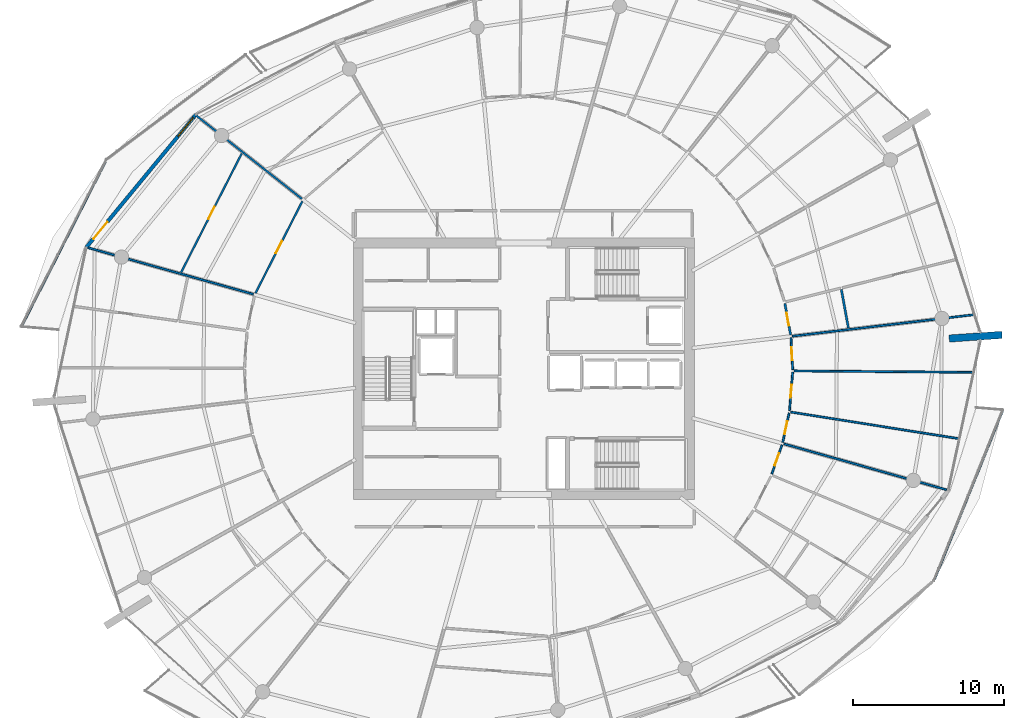
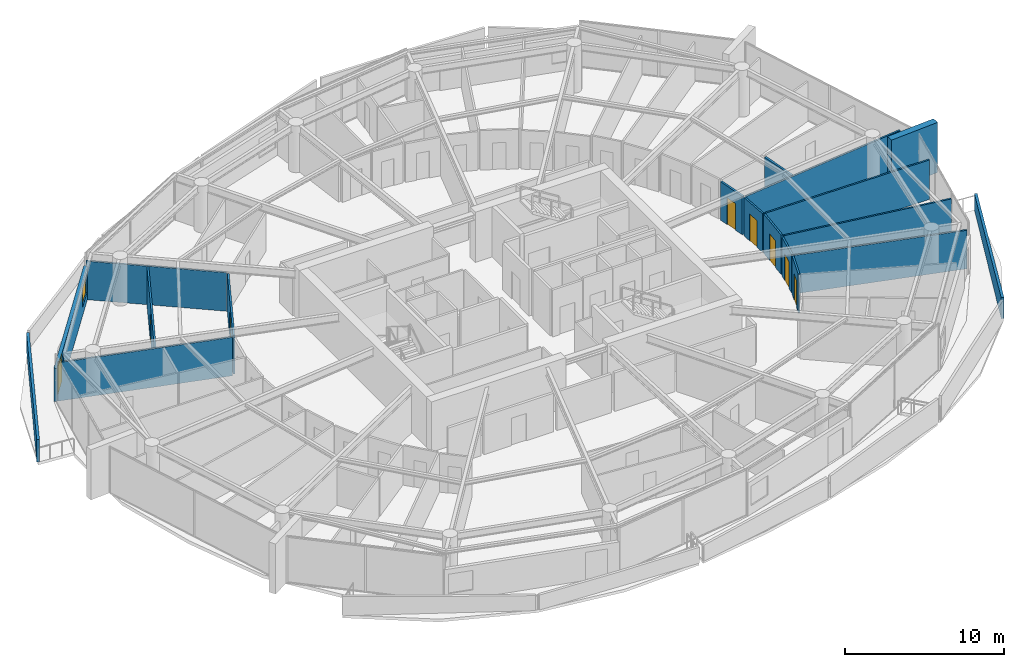
# One storey, part 20 of 30: 18 walls, 8 doors, 1 window, 9 openings.
"""IFC4 building model written with IfcOpenShell, lengths in metres."""

from ifc_helpers import new_model, si_unit, direction, frame, frame_2d, origin, place, context, subcontext, project, spatial, polyline, rectangle, outline, extrude, material, layer, layer_set, type_object, element, fill, save


model = new_model("IFC4")

# Units and contexts
model_context = context("Model", 3, precision=1e-05, world=origin(), true_north=direction((0.0, 1.0)))
body_context = subcontext(model_context, "Body", "Model", "MODEL_VIEW")
ifc_project = project(units=[si_unit("LENGTHUNIT", "METRE"), si_unit("AREAUNIT", "SQUARE_METRE"), si_unit("VOLUMEUNIT", "CUBIC_METRE"), si_unit("PLANEANGLEUNIT", "RADIAN"), si_unit("MASSUNIT", "GRAM", prefix="KILO")], contexts=[model_context])

# Site, building, storey
site_placement = place(None, origin())
site = spatial("IfcSite", under=ifc_project, at=site_placement, CompositionType="ELEMENT")
building_placement = place(site_placement, origin())
building = spatial("IfcBuilding", under=site, at=building_placement, Name="Kazma Halo Residences", CompositionType="ELEMENT")
storey_placement = place(building_placement, frame((0.0, 0.0, 255.949951171875)))
storey = spatial("IfcBuildingStorey", under=building, at=storey_placement, Name="L64", CompositionType="ELEMENT", Elevation=255.949951171875)

# Walls
ifc_material_1 = material(Name="White Concrete C50/60 Balustrade", Category="concrete")
ifc_layer_1 = layer(ifc_material_1, 0.179931640625)
ifc_layer_set_1 = layer_set([ifc_layer_1], Name="White Concrete C50/60 Balustrade")
wall_type_1 = type_object("IfcWallType", Name="WL-BAL-WAVE-180", PredefinedType="PARAPET", material=ifc_layer_set_1)
wall_1_placement = place(storey_placement, frame((20.758056640625, 55.745849609375, 0.0), z_axis=(0.0, 0.0, 1.0), x_axis=(-0.45375182612, -0.891128094211, 0.0)))
element("IfcWall", 1, at=wall_1_placement, inside=storey, type_object=wall_type_1, Name="L64 white wave balustrade wall NW.2", PredefinedType="PARAPET", context=body_context, shape_type="SweptSolid", body=[
    extrude(outline(polyline([(0.0, 0.0), (12.2998046875, 0.0), (12.2998046875, 1.7470703125), (6.14990234375, 1.56201171875), (0.0, 1.34814453125), (0.0, 0.0)])), frame((0.0, 0.08984375, 0.0), z_axis=(0.0, -1.0, 0.0), x_axis=(1.0, 0.0, 0.0)), (0.0, 0.0, 1.0), 0.179931640625),
])
wall_2_placement = place(storey_placement, frame((75.5869140625, 28.077880859375, 0.0), z_axis=(0.0, 0.0, 1.0), x_axis=(0.374094279698, 0.927390678138, 0.0)))
element("IfcWall", 2, at=wall_2_placement, inside=storey, type_object=wall_type_1, Name="L64 white wave balustrade wall SE.2", PredefinedType="PARAPET", context=body_context, shape_type="SweptSolid", body=[
    extrude(outline(polyline([(0.0, 0.0), (12.07470703125, 0.0), (12.07470703125, 1.233154296875), (6.037353515625, 1.41796875), (0.0, 1.632080078125), (0.0, 0.0)])), frame((0.0, 0.08984375, 0.0), z_axis=(0.0, -1.0, 0.0), x_axis=(1.0, 0.0, 0.0)), (0.0, 0.0, 1.0), 0.179931640625),
])
ifc_material_2 = material(Name="Pale Concrete C60/75", Category="concrete")
ifc_layer_2 = layer(ifc_material_2, 0.47998046875)
ifc_layer_set_2 = layer_set([ifc_layer_2], Name="Pale Concrete C60/75")
wall_type_2 = type_object("IfcWallType", Name="WL-BLADE-480", PredefinedType="SOLIDWALL", material=ifc_layer_set_2)
wall_3_placement = place(storey_placement, frame((76.5625, 43.997314453125, 0.0), z_axis=(0.0, 0.0, 1.0), x_axis=(0.997563824095, 0.069759707979, 0.0)))
element("IfcWall", 3, at=wall_3_placement, inside=storey, type_object=wall_type_2, Name="L64 pale concrete structural blade fin wall BW-04", PredefinedType="SOLIDWALL", context=body_context, shape_type="SweptSolid", body=[
    extrude(rectangle(XDim=3.499755859375, YDim=0.47998046875, at=frame_2d((1.75, 0.0))), origin(), (0.0, 0.0, 1.0), 3.85009765625),
])

# Wall, openings, door, window
ifc_material_3 = material(Name="Insulated Pale-Metal Composite Wall")
ifc_layer_3 = layer(ifc_material_3, 0.239990234375)
ifc_layer_set_3 = layer_set([ifc_layer_3], Name="Insulated Pale-Metal Composite Wall")
wall_type_3 = type_object("IfcWallType", Name="WL-EXT-HOST-240", PredefinedType="SOLIDWALL", material=ifc_layer_set_3)
wall_4_placement = place(storey_placement, frame((26.7421875, 58.822021484375, 0.0), z_axis=(0.0, 0.0, 1.0), x_axis=(-0.636680093065, -0.771128043255, 0.0)))
wall_4 = element("IfcWall", 4, at=wall_4_placement, inside=storey, type_object=wall_type_3, Name="L64 exterior terrace-access wall B06", PredefinedType="SOLIDWALL", context=body_context, shape_type="SweptSolid", body=[
    extrude(rectangle(XDim=11.438232421875, YDim=0.239990234375, at=frame_2d((5.71923828125, 0.0))), origin(), (0.0, 0.0, 1.0), 2.5400390625),
])
opening_1_placement = place(wall_4_placement, frame((9.21826171875, 0.0, 0.0)))
opening_1 = element("IfcOpeningElement", 5, at=opening_1_placement, cuts=wall_4, Name="Opening DTR-1600", PredefinedType="OPENING", context=body_context, shape_type="SweptSolid", body=[
    extrude(rectangle(XDim=1.449951171875, YDim=2.14990234375, at=frame_2d((0.72509765625, 1.074951171875))), frame((0.0, 0.1298828125, 0.0), z_axis=(0.0, -1.0, 0.0), x_axis=(1.0, 0.0, 0.0)), (0.0, 0.0, 1.0), 0.260009765625),
])
opening_2_placement = place(wall_4_placement, frame((0.280029296875, 0.0, 0.64990234375)))
opening_2 = element("IfcOpeningElement", 6, at=opening_2_placement, cuts=wall_4, Name="Opening W-1800", PredefinedType="OPENING", context=body_context, shape_type="SweptSolid", body=[
    extrude(rectangle(XDim=1.60009765625, YDim=1.5, at=frame_2d((0.800048828125, 0.75))), frame((0.0, 0.1298828125, 0.0), z_axis=(0.0, -1.0, 0.0), x_axis=(1.0, 0.0, 0.0)), (0.0, 0.0, 1.0), 0.260009765625),
])
ifc_material_4 = material(Name="Aluminium AW-6063 T6 Double-Glazed Terrace Door", Category="aluminium")
door_type_1 = type_object("IfcDoorType", Name="DR-EXT-TERR-1600", OperationType="NOTDEFINED", PredefinedType="DOOR", material=ifc_material_4)
door_1_placement = place(opening_1_placement, origin())
door_1 = element("IfcDoor", 7, at=door_1_placement, inside=storey, type_object=door_type_1, Name="L64 B06 balcony terrace door", OperationType="DOUBLE_DOOR_SLIDING", OverallHeight=2.14990234375, OverallWidth=1.449951171875, PredefinedType="DOOR", context=body_context, shape_type="SweptSolid", body=[
    extrude(rectangle(XDim=1.449951171875, YDim=2.14990234375, at=frame_2d((0.72509765625, 1.074951171875))), frame((0.0, 0.02490234375, 0.0), z_axis=(0.0, -1.0, 0.0), x_axis=(1.0, 0.0, 0.0)), (0.0, 0.0, 1.0), 0.050048828125),
])
fill(opening_1, door_1)
ifc_material_5 = material(Name="Clear Triple-Silver Low-E Glass in Aluminium AW-6063 T6 Frame", Category="aluminium")
window_type = type_object("IfcWindowType", Name="WIN-RES-1800", PartitioningType="DOUBLE_PANEL_VERTICAL", PredefinedType="WINDOW", material=ifc_material_5)
window_placement = place(opening_2_placement, origin())
window = element("IfcWindow", 8, at=window_placement, inside=storey, type_object=window_type, Name="L64 B06 apartment window", OverallHeight=1.5, OverallWidth=1.60009765625, PartitioningType="SINGLE_PANEL", PredefinedType="WINDOW", context=body_context, shape_type="SweptSolid", body=[
    extrude(rectangle(XDim=1.60009765625, YDim=1.5, at=frame_2d((0.800048828125, 0.75))), frame((0.0, 0.030029296875, 0.0), z_axis=(0.0, -1.0, 0.0), x_axis=(1.0, 0.0, 0.0)), (0.0, 0.0, 1.0), 0.06005859375),
])
fill(opening_2, window)

# Wall
ifc_material_6 = material(Name="Gypsum Plasterboard Partition")
ifc_layer_4 = layer(ifc_material_6, 0.125)
ifc_layer_set_4 = layer_set([ifc_layer_4], Name="Gypsum Plasterboard Partition")
wall_type_4 = type_object("IfcWallType", Name="WL-PART-125", PredefinedType="PARTITIONING", material=ifc_layer_set_4)
wall_5_placement = place(storey_placement, frame((33.743408203125, 53.239013671875, 0.0), z_axis=(0.0, 0.0, 1.0), x_axis=(-0.785324118062, 0.619084832305, 0.0)))
element("IfcWall", 9, at=wall_5_placement, inside=storey, type_object=wall_type_4, Name="L64 Apartment 1 radial partition 5", PredefinedType="PARTITIONING", context=body_context, shape_type="SweptSolid", body=[
    extrude(rectangle(XDim=8.9306640625, YDim=0.125, at=frame_2d((4.46533203125, 0.0))), origin(), (0.0, 0.0, 1.0), 2.95703125),
])

# Wall, opening, door
wall_6_placement = place(storey_placement, frame((33.77197265625, 53.0791015625, 0.0), z_axis=(0.0, 0.0, 1.0), x_axis=(-0.454012060349, -0.890995538181, 0.0)))
wall_6 = element("IfcWall", 10, at=wall_6_placement, inside=storey, type_object=wall_type_4, Name="L64 Apartment 1 North Dressing Wardrobe hall wall", PredefinedType="PARTITIONING", context=body_context, shape_type="SweptSolid", body=[
    extrude(rectangle(XDim=6.824462890625, YDim=0.125, at=frame_2d((3.412109375, 0.0))), origin(), (0.0, 0.0, 1.0), 2.95703125),
])
opening_3_placement = place(wall_6_placement, frame((2.962158203125, 0.0, 0.0)))
opening_3 = element("IfcOpeningElement", 11, at=opening_3_placement, cuts=wall_6, Name="Opening DI-950", PredefinedType="OPENING", context=body_context, shape_type="SweptSolid", body=[
    extrude(rectangle(XDim=0.89990234375, YDim=2.080078125, at=frame_2d((0.449951171875, 1.0400390625))), frame((0.0, 0.072509765625, 0.0), z_axis=(0.0, -1.0, 0.0), x_axis=(1.0, 0.0, 0.0)), (0.0, 0.0, 1.0), 0.14501953125),
])
ifc_material_7 = material(Name="Timber Veneer Flush Leaf", Category="wood")
door_type_2 = type_object("IfcDoorType", Name="DR-INT-950", OperationType="NOTDEFINED", PredefinedType="DOOR", material=ifc_material_7)
door_2_placement = place(opening_3_placement, origin())
door_2 = element("IfcDoor", 12, at=door_2_placement, inside=storey, type_object=door_type_2, Name="L64 Apartment 1 North Dressing Wardrobe door", OperationType="SINGLE_SWING_RIGHT", OverallHeight=2.080078125, OverallWidth=0.89990234375, PredefinedType="DOOR", context=body_context, shape_type="SweptSolid", body=[
    extrude(rectangle(XDim=0.89990234375, YDim=2.080078125, at=frame_2d((0.449951171875, 1.0400390625))), frame((0.0, 0.02490234375, 0.0), z_axis=(0.0, -1.0, 0.0), x_axis=(1.0, 0.0, 0.0)), (0.0, 0.0, 1.0), 0.050048828125),
])
fill(opening_3, door_2)

wall_7_placement = place(storey_placement, frame((29.763671875, 56.239013671875, 0.0), z_axis=(0.0, 0.0, 1.0), x_axis=(-0.453980126594, -0.891011809494, 0.0)))
wall_7 = element("IfcWall", 13, at=wall_7_placement, inside=storey, type_object=wall_type_4, Name="L64 Apartment 1 South Master Bedroom divider wall", PredefinedType="PARTITIONING", context=body_context, shape_type="SweptSolid", body=[
    extrude(rectangle(XDim=8.81591796875, YDim=0.125, at=frame_2d((4.407958984375, 0.0))), origin(), (0.0, 0.0, 1.0), 2.95703125),
])
opening_4_placement = place(wall_7_placement, frame((3.9580078125, 0.0, 0.0)))
opening_4 = element("IfcOpeningElement", 14, at=opening_4_placement, cuts=wall_7, Name="Opening DI-950", PredefinedType="OPENING", context=body_context, shape_type="SweptSolid", body=[
    extrude(rectangle(XDim=0.89990234375, YDim=2.080078125, at=frame_2d((0.449951171875, 1.0400390625))), frame((0.0, 0.072509765625, 0.0), z_axis=(0.0, -1.0, 0.0), x_axis=(1.0, 0.0, 0.0)), (0.0, 0.0, 1.0), 0.14501953125),
])
door_3_placement = place(opening_4_placement, origin())
door_3 = element("IfcDoor", 15, at=door_3_placement, inside=storey, type_object=door_type_2, Name="L64 Apartment 1 South Master Bedroom door", OperationType="SINGLE_SWING_LEFT", OverallHeight=2.080078125, OverallWidth=0.89990234375, PredefinedType="DOOR", context=body_context, shape_type="SweptSolid", body=[
    extrude(rectangle(XDim=0.89990234375, YDim=2.080078125, at=frame_2d((0.449951171875, 1.0400390625))), frame((0.0, 0.02490234375, 0.0), z_axis=(0.0, -1.0, 0.0), x_axis=(1.0, 0.0, 0.0)), (0.0, 0.0, 1.0), 0.050048828125),
])
fill(opening_4, door_3)

# Wall
wall_8_placement = place(storey_placement, frame((30.527587890625, 46.927734375, 0.0), z_axis=(0.0, 0.0, 1.0), x_axis=(-0.962454146261, 0.271444315367, 0.0)))
element("IfcWall", 16, at=wall_8_placement, inside=storey, type_object=wall_type_4, Name="L64 Apartment 1 radial partition 6", PredefinedType="PARTITIONING", context=body_context, shape_type="SweptSolid", body=[
    extrude(rectangle(XDim=11.341552734375, YDim=0.125, at=frame_2d((5.6708984375, 0.0))), origin(), (0.0, 0.0, 1.0), 2.95703125),
])

# Wall, opening, door
wall_9_placement = place(storey_placement, frame((64.831298828125, 35.043212890625, 0.0), z_axis=(0.0, 0.0, 1.0), x_axis=(0.329289900501, 0.944228871317, 0.0)))
wall_9 = element("IfcWall", 17, at=wall_9_placement, inside=storey, type_object=wall_type_4, Name="L64 Apartment 3 Primary Bedroom hall wall", PredefinedType="PARTITIONING", context=body_context, shape_type="SweptSolid", body=[
    extrude(rectangle(XDim=2.03076171875, YDim=0.125, at=frame_2d((1.015380859375, 0.0))), origin(), (0.0, 0.0, 1.0), 2.95703125),
])
opening_5_placement = place(wall_9_placement, frame((0.590576171875, 0.0, 0.0)))
opening_5 = element("IfcOpeningElement", 18, at=opening_5_placement, cuts=wall_9, Name="Opening DB-900", PredefinedType="OPENING", context=body_context, shape_type="SweptSolid", body=[
    extrude(rectangle(XDim=0.85009765625, YDim=2.06005859375, at=frame_2d((0.425048828125, 1.030029296875))), frame((0.0, 0.072509765625, 0.0), z_axis=(0.0, -1.0, 0.0), x_axis=(1.0, 0.0, 0.0)), (0.0, 0.0, 1.0), 0.14501953125),
])
ifc_material_8 = material(Name="Moisture-Sealed Timber Leaf", Category="wood")
door_type_3 = type_object("IfcDoorType", Name="DR-BTH-900", OperationType="NOTDEFINED", PredefinedType="DOOR", material=ifc_material_8)
door_4_placement = place(opening_5_placement, origin())
door_4 = element("IfcDoor", 19, at=door_4_placement, inside=storey, type_object=door_type_3, Name="L64 Apartment 3 Primary Bedroom door", OperationType="SINGLE_SWING_LEFT", OverallHeight=2.06005859375, OverallWidth=0.85009765625, PredefinedType="DOOR", context=body_context, shape_type="SweptSolid", body=[
    extrude(rectangle(XDim=0.85009765625, YDim=2.06005859375, at=frame_2d((0.425048828125, 1.030029296875))), frame((0.0, 0.02490234375, 0.0), z_axis=(0.0, -1.0, 0.0), x_axis=(1.0, 0.0, 0.0)), (0.0, 0.0, 1.0), 0.050048828125),
])
fill(opening_5, door_4)

# Walls
wall_10_placement = place(storey_placement, frame((65.629150390625, 37.028076171875, 0.0), z_axis=(0.0, 0.0, 1.0), x_axis=(0.962453772483, -0.271445640659, 0.0)))
element("IfcWall", 20, at=wall_10_placement, inside=storey, type_object=wall_type_4, Name="L64 Apartment 3 radial partition 14", PredefinedType="PARTITIONING", context=body_context, shape_type="SweptSolid", body=[
    extrude(rectangle(XDim=11.1787109375, YDim=0.125, at=frame_2d((5.58935546875, 0.0))), origin(), (0.0, 0.0, 1.0), 2.95703125),
])
wall_11_placement = place(storey_placement, frame((66.08154296875, 39.135986328125, 0.0), z_axis=(0.0, 0.0, 1.0), x_axis=(0.987690506507, -0.156420789395, 0.0)))
element("IfcWall", 21, at=wall_11_placement, inside=storey, type_object=wall_type_4, Name="L64 Apartment 3 bay wall 1 14", PredefinedType="PARTITIONING", context=body_context, shape_type="SweptSolid", body=[
    extrude(rectangle(XDim=11.27197265625, YDim=0.125, at=frame_2d((5.635986328125, 0.0))), origin(), (0.0, 0.0, 1.0), 3.030029296875),
])
wall_12_placement = place(storey_placement, frame((66.306396484375, 41.856201171875, 0.0), z_axis=(0.0, 0.0, 1.0), x_axis=(0.999969195211, -0.00784911645, 0.0)))
element("IfcWall", 22, at=wall_12_placement, inside=storey, type_object=wall_type_4, Name="L64 Apartment 3 bay wall 2 14", PredefinedType="PARTITIONING", context=body_context, shape_type="SweptSolid", body=[
    extrude(rectangle(XDim=11.8505859375, YDim=0.125, at=frame_2d((5.92529296875, 0.0))), origin(), (0.0, 0.0, 1.0), 3.030029296875),
])

# Wall, opening, door
wall_13_placement = place(storey_placement, frame((65.550048828125, 37.13330078125, 0.0), z_axis=(0.0, 0.0, 1.0), x_axis=(0.214390122188, 0.976748112621, 0.0)))
wall_13 = element("IfcWall", 23, at=wall_13_placement, inside=storey, type_object=wall_type_4, Name="L64 Apartment 3 East Bedroom hall wall", PredefinedType="PARTITIONING", context=body_context, shape_type="SweptSolid", body=[
    extrude(rectangle(XDim=1.98486328125, YDim=0.125, at=frame_2d((0.992431640625, 0.0))), origin(), (0.0, 0.0, 1.0), 2.95703125),
])
opening_6_placement = place(wall_13_placement, frame((0.5673828125, 0.0, 0.0)))
opening_6 = element("IfcOpeningElement", 24, at=opening_6_placement, cuts=wall_13, Name="Opening DB-900", PredefinedType="OPENING", context=body_context, shape_type="SweptSolid", body=[
    extrude(rectangle(XDim=0.85009765625, YDim=2.06005859375, at=frame_2d((0.425048828125, 1.030029296875))), frame((0.0, 0.072509765625, 0.0), z_axis=(0.0, -1.0, 0.0), x_axis=(1.0, 0.0, 0.0)), (0.0, 0.0, 1.0), 0.14501953125),
])
door_5_placement = place(opening_6_placement, origin())
door_5 = element("IfcDoor", 25, at=door_5_placement, inside=storey, type_object=door_type_3, Name="L64 Apartment 3 East Bedroom door", OperationType="SINGLE_SWING_RIGHT", OverallHeight=2.06005859375, OverallWidth=0.85009765625, PredefinedType="DOOR", context=body_context, shape_type="SweptSolid", body=[
    extrude(rectangle(XDim=0.85009765625, YDim=2.06005859375, at=frame_2d((0.425048828125, 1.030029296875))), frame((0.0, 0.02490234375, 0.0), z_axis=(0.0, -1.0, 0.0), x_axis=(1.0, 0.0, 0.0)), (0.0, 0.0, 1.0), 0.050048828125),
])
fill(opening_6, door_5)

wall_14_placement = place(storey_placement, frame((65.999267578125, 39.22998046875, 0.0), z_axis=(0.0, 0.0, 1.0), x_axis=(0.082341873898, 0.996604141976, 0.0)))
wall_14 = element("IfcWall", 26, at=wall_14_placement, inside=storey, type_object=wall_type_4, Name="L64 Apartment 3 West Dressing Wardrobe hall wall", PredefinedType="PARTITIONING", context=body_context, shape_type="SweptSolid", body=[
    extrude(rectangle(XDim=2.555908203125, YDim=0.125, at=frame_2d((1.27783203125, 0.0))), origin(), (0.0, 0.0, 1.0), 3.030029296875),
])
opening_7_placement = place(wall_14_placement, frame((0.85302734375, 0.0, 0.0)))
opening_7 = element("IfcOpeningElement", 27, at=opening_7_placement, cuts=wall_14, Name="Opening DB-900", PredefinedType="OPENING", context=body_context, shape_type="SweptSolid", body=[
    extrude(rectangle(XDim=0.85009765625, YDim=2.06005859375, at=frame_2d((0.425048828125, 1.030029296875))), frame((0.0, 0.072509765625, 0.0), z_axis=(0.0, -1.0, 0.0), x_axis=(1.0, 0.0, 0.0)), (0.0, 0.0, 1.0), 0.14501953125),
])
door_6_placement = place(opening_7_placement, origin())
door_6 = element("IfcDoor", 28, at=door_6_placement, inside=storey, type_object=door_type_3, Name="L64 Apartment 3 West Dressing Wardrobe door", OperationType="SINGLE_SWING_LEFT", OverallHeight=2.06005859375, OverallWidth=0.85009765625, PredefinedType="DOOR", context=body_context, shape_type="SweptSolid", body=[
    extrude(rectangle(XDim=0.85009765625, YDim=2.06005859375, at=frame_2d((0.425048828125, 1.030029296875))), frame((0.0, 0.02490234375, 0.0), z_axis=(0.0, -1.0, 0.0), x_axis=(1.0, 0.0, 0.0)), (0.0, 0.0, 1.0), 0.050048828125),
])
fill(opening_7, door_6)

wall_15_placement = place(storey_placement, frame((66.2119140625, 41.936767578125, 0.0), z_axis=(0.0, 0.0, 1.0), x_axis=(-0.054847218402, 0.998494758441, 0.0)))
wall_15 = element("IfcWall", 29, at=wall_15_placement, inside=storey, type_object=wall_type_4, Name="L64 Apartment 3 North Bedroom hall wall", PredefinedType="PARTITIONING", context=body_context, shape_type="SweptSolid", body=[
    extrude(rectangle(XDim=2.127685546875, YDim=0.125, at=frame_2d((1.06396484375, 0.0))), origin(), (0.0, 0.0, 1.0), 2.95703125),
])
opening_8_placement = place(wall_15_placement, frame((0.638916015625, 0.0, 0.0)))
opening_8 = element("IfcOpeningElement", 30, at=opening_8_placement, cuts=wall_15, Name="Opening DB-900", PredefinedType="OPENING", context=body_context, shape_type="SweptSolid", body=[
    extrude(rectangle(XDim=0.85009765625, YDim=2.06005859375, at=frame_2d((0.425048828125, 1.030029296875))), frame((0.0, 0.072509765625, 0.0), z_axis=(0.0, -1.0, 0.0), x_axis=(1.0, 0.0, 0.0)), (0.0, 0.0, 1.0), 0.14501953125),
])
door_7_placement = place(opening_8_placement, origin())
door_7 = element("IfcDoor", 31, at=door_7_placement, inside=storey, type_object=door_type_3, Name="L64 Apartment 3 North Bedroom door", OperationType="SINGLE_SWING_RIGHT", OverallHeight=2.06005859375, OverallWidth=0.85009765625, PredefinedType="DOOR", context=body_context, shape_type="SweptSolid", body=[
    extrude(rectangle(XDim=0.85009765625, YDim=2.06005859375, at=frame_2d((0.425048828125, 1.030029296875))), frame((0.0, 0.02490234375, 0.0), z_axis=(0.0, -1.0, 0.0), x_axis=(1.0, 0.0, 0.0)), (0.0, 0.0, 1.0), 0.050048828125),
])
fill(opening_8, door_7)

# Wall
wall_16_placement = place(storey_placement, frame((66.18994140625, 44.153076171875, 0.0), z_axis=(0.0, 0.0, 1.0), x_axis=(0.993069606842, 0.117527681703, 0.0)))
element("IfcWall", 32, at=wall_16_placement, inside=storey, type_object=wall_type_4, Name="L64 Apartment 3 radial partition 15", PredefinedType="PARTITIONING", context=body_context, shape_type="SweptSolid", body=[
    extrude(rectangle(XDim=12.11279296875, YDim=0.125, at=frame_2d((6.056396484375, 0.0))), origin(), (0.0, 0.0, 1.0), 2.95703125),
])

# Wall, opening, door
ifc_material_9 = material(Name="Moisture-Resistant Gypsum")
ifc_layer_5 = layer(ifc_material_9, 0.14990234375)
ifc_layer_set_5 = layer_set([ifc_layer_5], Name="Moisture-Resistant Gypsum")
wall_type_5 = type_object("IfcWallType", Name="WL-WET-150", PredefinedType="PARTITIONING", material=ifc_layer_set_5)
wall_17_placement = place(storey_placement, frame((66.07275390625, 44.239501953125, 0.0), z_axis=(0.0, 0.0, 1.0), x_axis=(-0.180106044943, 0.983647199241, 0.0)))
wall_17 = element("IfcWall", 33, at=wall_17_placement, inside=storey, type_object=wall_type_5, Name="L64 Apartment 3 South En-Suite Bathroom hall wall", PredefinedType="PARTITIONING", context=body_context, shape_type="SweptSolid", body=[
    extrude(rectangle(XDim=2.11181640625, YDim=0.14990234375, at=frame_2d((1.055908203125, 0.0))), origin(), (0.0, 0.0, 1.0), 2.95703125),
])
opening_9_placement = place(wall_17_placement, frame((0.631103515625, 0.0, 0.0)))
opening_9 = element("IfcOpeningElement", 34, at=opening_9_placement, cuts=wall_17, Name="Opening DB-900", PredefinedType="OPENING", context=body_context, shape_type="SweptSolid", body=[
    extrude(rectangle(XDim=0.85009765625, YDim=2.06005859375, at=frame_2d((0.425048828125, 1.030029296875))), frame((0.0, 0.0849609375, 0.0), z_axis=(0.0, -1.0, 0.0), x_axis=(1.0, 0.0, 0.0)), (0.0, 0.0, 1.0), 0.169921875),
])
door_8_placement = place(opening_9_placement, origin())
door_8 = element("IfcDoor", 35, at=door_8_placement, inside=storey, type_object=door_type_3, Name="L64 Apartment 3 South En-Suite Bathroom door", OperationType="SINGLE_SWING_RIGHT", OverallHeight=2.06005859375, OverallWidth=0.85009765625, PredefinedType="DOOR", context=body_context, shape_type="SweptSolid", body=[
    extrude(rectangle(XDim=0.85009765625, YDim=2.06005859375, at=frame_2d((0.425048828125, 1.030029296875))), frame((0.0, 0.02490234375, 0.0), z_axis=(0.0, -1.0, 0.0), x_axis=(1.0, 0.0, 0.0)), (0.0, 0.0, 1.0), 0.050048828125),
])
fill(opening_9, door_8)

# Wall
wall_18_placement = place(storey_placement, frame((69.89599609375, 44.692138671875, 0.0), z_axis=(0.0, 0.0, 1.0), x_axis=(-0.180026361811, 0.983661785907, 0.0)))
element("IfcWall", 36, at=wall_18_placement, inside=storey, type_object=wall_type_5, Name="L64 Apartment 3 South En-Suite Bathroom back wall", PredefinedType="PARTITIONING", context=body_context, shape_type="SweptSolid", body=[
    extrude(rectangle(XDim=2.598388671875, YDim=0.14990234375, at=frame_2d((1.29931640625, 0.0))), origin(), (0.0, 0.0, 1.0), 2.95703125),
])

save(model, "model.ifc")
